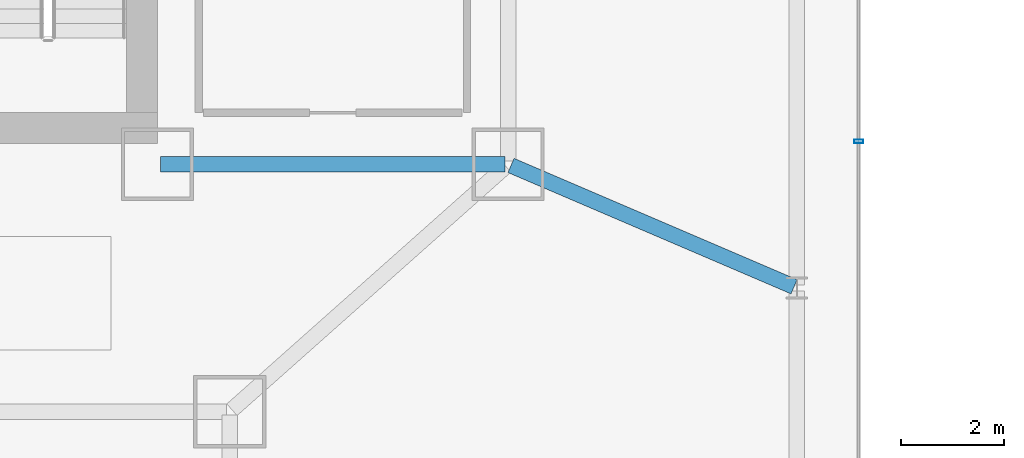
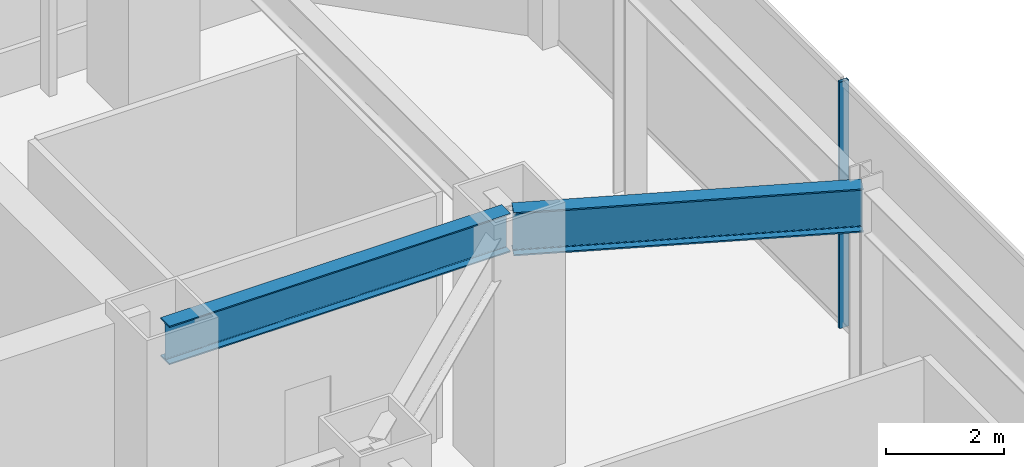
# One storey, part 29 of 52: 2 beams, 1 member, 1 element without a shape of its own.
"""IFC4 building model written with IfcOpenShell, lengths in metres."""

from ifc_helpers import new_model, si_unit, direction, frame, origin, origin_2d, place, context, subcontext, project, spatial, hollow_rectangle, i_section, extrude, material, material_profile, profile_set, type_object, element, aggregate, save


model = new_model("IFC4")

# Units and contexts
model_context = context("Model", 3, precision=1e-05, world=origin(), true_north=direction((0.0, 1.0)))
body_context = subcontext(model_context, "Body", "Model", "MODEL_VIEW")
ifc_project = project(units=[si_unit("LENGTHUNIT", "METRE"), si_unit("AREAUNIT", "SQUARE_METRE"), si_unit("VOLUMEUNIT", "CUBIC_METRE"), si_unit("PLANEANGLEUNIT", "RADIAN"), si_unit("MASSUNIT", "GRAM", prefix="KILO")], contexts=[model_context])

# Site, building, storey
site_placement = place(None, origin())
site = spatial("IfcSite", under=ifc_project, at=site_placement, CompositionType="ELEMENT")
building_placement = place(site_placement, origin())
building = spatial("IfcBuilding", under=site, at=building_placement, Name="Saevonmaru Cultural Tower", CompositionType="ELEMENT")
storey_placement = place(building_placement, frame((0.0, 0.0, 16.800048828125)))
storey = spatial("IfcBuildingStorey", under=building, at=storey_placement, Name="L03", CompositionType="ELEMENT", Elevation=16.800048828125)

# Beams
ifc_material_1 = material(Name="Steel SM420", Category="steel")
ifc_material_profile_1 = material_profile(ifc_material_1, i_section(OverallWidth=0.300048828125, OverallDepth=0.800048828125, WebThickness=0.013916015625, FlangeThickness=0.02587890625, FilletRadius=0.028076171875, at=origin_2d()), Name="H-800x300x14x26")
ifc_profile_set_1 = profile_set([ifc_material_profile_1], Name="Steel SM420")
beam_type_1 = type_object("IfcBeamType", Name="BM-G-H800", PredefinedType="BEAM", material=ifc_profile_set_1)
beam_1_placement = place(storey_placement, frame((46.4599609375, 42.39990234375, 4.699951171875), z_axis=(1.0, 0.0, 0.0), x_axis=(0.0, 1.0, 0.0)))
element("IfcBeam", 1, at=beam_1_placement, inside=storey, type_object=beam_type_1, Name="L03 Core South Girder 5", PredefinedType="BEAM", context=body_context, shape_type="SweptSolid", body=[
    extrude(i_section(OverallWidth=0.300048828125, OverallDepth=0.800048828125, WebThickness=0.013916015625, FlangeThickness=0.02587890625, FilletRadius=0.028076171875, at=origin_2d()), origin(), (0.0, 0.0, 1.0), 6.679931640625),
])
ifc_material_profile_2 = material_profile(ifc_material_1, i_section(OverallWidth=0.300048828125, OverallDepth=0.89990234375, WebThickness=0.01611328125, FlangeThickness=0.028076171875, FilletRadius=0.028076171875, at=origin_2d()), Name="H-900x300x16x28")
ifc_profile_set_2 = profile_set([ifc_material_profile_2], Name="Steel SM420")
beam_type_2 = type_object("IfcBeamType", Name="BM-G-H900", PredefinedType="BEAM", material=ifc_profile_set_2)
beam_2_placement = place(storey_placement, frame((53.255126953125, 42.37646484375, 4.64990234375), z_axis=(0.919142915717, -0.393924231912, 0.0), x_axis=(0.393924231912, 0.919142915717, 0.0)))
element("IfcBeam", 2, at=beam_2_placement, inside=storey, type_object=beam_type_2, Name="BM-POD-TE1-L03", PredefinedType="BEAM", context=body_context, shape_type="SweptSolid", body=[
    extrude(i_section(OverallWidth=0.300048828125, OverallDepth=0.89990234375, WebThickness=0.01611328125, FlangeThickness=0.028076171875, FilletRadius=0.028076171875, at=origin_2d()), origin(), (0.0, 0.0, 1.0), 5.97265625),
])

# Curtain wall, member
ifc_material_2 = material(Name="Satin Bronze Anodised Aluminium", Category="aluminium")
curtain_wall_type = type_object("IfcCurtainWallType", Name="CW-POD-GLZ", PredefinedType="NOTDEFINED", material=ifc_material_2)
curtain_wall_placement = place(storey_placement, origin())
curtain_wall = element("IfcCurtainWall", 3, at=curtain_wall_placement, inside=storey, type_object=curtain_wall_type, Name="L03 Saevon Plaza Curtain Wall", PredefinedType="NOTDEFINED")
ifc_material_profile_3 = material_profile(ifc_material_2, hollow_rectangle(XDim=0.06494140625, YDim=0.179931640625, WallThickness=0.00390625, at=origin_2d()), Name="ALU-MULL-180x65x4")
ifc_profile_set_3 = profile_set([ifc_material_profile_3], Name="Satin Bronze Anodised Aluminium")
member_type = type_object("IfcMemberType", Name="ML-CW-180x65", PredefinedType="MULLION", material=ifc_profile_set_3)
member_placement = place(storey_placement, frame((60.0, 42.843994140625, 0.0), z_axis=(0.0, 0.0, 1.0), x_axis=(0.0, 1.0, 0.0)))
member = element("IfcMember", 4, at=member_placement, type_object=member_type, Name="CW-POD-E-L03 mullion 5", PredefinedType="MULLION", context=body_context, shape_type="SweptSolid", body=[
    extrude(hollow_rectangle(XDim=0.06494140625, YDim=0.179931640625, WallThickness=0.00390625, at=origin_2d()), origin(), (0.0, 0.0, 1.0), 5.099853515625),
])
aggregate(curtain_wall, [member])

save(model, "model.ifc")
